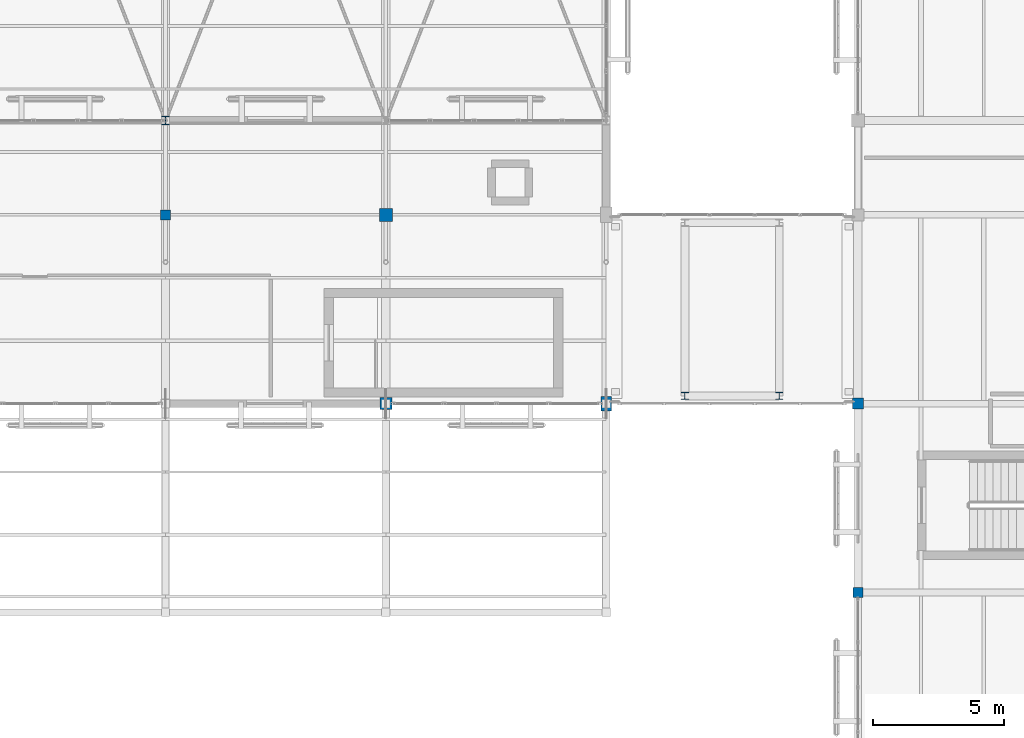
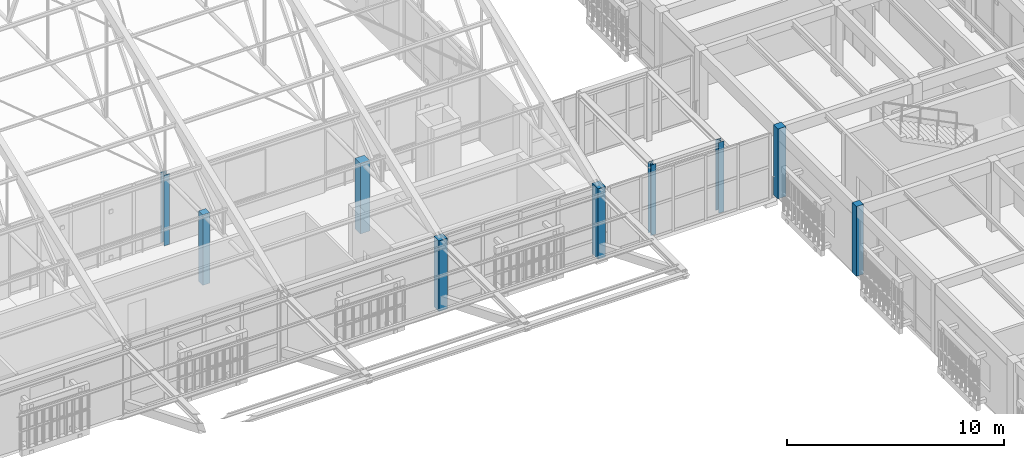
# One storey, part 12 of 217: 9 columns.
"""IFC4 building model written with IfcOpenShell, lengths in metres."""

from ifc_helpers import new_model, si_unit, direction, frame, origin, origin_2d, place, context, subcontext, project, spatial, rectangle, i_section, extrude, material, material_profile, profile_set, type_object, element, save


model = new_model("IFC4")

# Units and contexts
model_context = context("Model", 3, precision=1e-05, world=origin(), true_north=direction((0.0, 1.0)))
body_context = subcontext(model_context, "Body", "Model", "MODEL_VIEW")
ifc_project = project(units=[si_unit("LENGTHUNIT", "METRE"), si_unit("AREAUNIT", "SQUARE_METRE"), si_unit("VOLUMEUNIT", "CUBIC_METRE"), si_unit("PLANEANGLEUNIT", "RADIAN"), si_unit("MASSUNIT", "GRAM", prefix="KILO")], contexts=[model_context])

# Site, building, storey
site_placement = place(None, origin())
site = spatial("IfcSite", under=ifc_project, at=site_placement, CompositionType="ELEMENT")
building_placement = place(site_placement, origin())
building = spatial("IfcBuilding", under=site, at=building_placement, Name="Mazaris Harbour Polytechnic", CompositionType="ELEMENT")
storey_placement = place(building_placement, frame((0.0, 0.0, 9.60009765625)))
storey = spatial("IfcBuildingStorey", under=building, at=storey_placement, Name="L02", CompositionType="ELEMENT", Elevation=9.60009765625)

# Columns
ifc_material_1 = material(Name="Glulam GL28h", Category="wood")
ifc_material_profile_1 = material_profile(ifc_material_1, rectangle(XDim=0.3798828125, YDim=0.3798828125, at=origin_2d()), Name="RECT380x380")
ifc_profile_set_1 = profile_set([ifc_material_profile_1], Name="Glulam GL28h")
column_type_1 = type_object("IfcColumnType", Name="Glulam Column 380x380", PredefinedType="COLUMN", material=ifc_profile_set_1)
column_1_placement = place(storey_placement, frame((96.0, 82.800048828125, 0.0), z_axis=(0.0, 0.0, 1.0), x_axis=(1.0, 0.0, 0.0)))
element("IfcColumn", 1, at=column_1_placement, inside=storey, type_object=column_type_1, Name="V1 L02 Column 169", PredefinedType="COLUMN", context=body_context, shape_type="SweptSolid", body=[
    extrude(rectangle(XDim=0.3798828125, YDim=0.3798828125, at=origin_2d()), origin(), (0.0, 0.0, 1.0), 3.9599609375),
])
ifc_material_2 = material(Name="Glulam GL28h", Category="wood")
ifc_material_profile_2 = material_profile(ifc_material_2, rectangle(XDim=0.3798828125, YDim=0.3798828125, at=origin_2d()), Name="RECT380x380")
ifc_profile_set_2 = profile_set([ifc_material_profile_2], Name="Glulam GL28h")
column_type_2 = type_object("IfcColumnType", Name="Glulam Column 380x380 Exterior", PredefinedType="COLUMN", material=ifc_profile_set_2)
column_2_placement = place(storey_placement, frame((122.39990234375, 68.39990234375, 0.0), z_axis=(0.0, 0.0, 1.0), x_axis=(1.0, 0.0, 0.0)))
element("IfcColumn", 2, at=column_2_placement, inside=storey, type_object=column_type_2, Name="V5 L02 Column 1329", PredefinedType="COLUMN", context=body_context, shape_type="SweptSolid", body=[
    extrude(rectangle(XDim=0.3798828125, YDim=0.3798828125, at=origin_2d()), origin(), (0.0, 0.0, 1.0), 3.919921875),
])
ifc_material_3 = material(Name="Glulam GL28h", Category="wood")
ifc_material_profile_3 = material_profile(ifc_material_3, rectangle(XDim=0.39990234375, YDim=0.5400390625, at=origin_2d()), Name="RECT400x540")
ifc_profile_set_3 = profile_set([ifc_material_profile_3], Name="Glulam GL28h")
column_type_3 = type_object("IfcColumnType", Name="Glulam Column 400x540 Exterior", PredefinedType="COLUMN", material=ifc_profile_set_3)
column_3_placement = place(storey_placement, frame((112.800048828125, 75.60009765625, 0.0), z_axis=(0.0, 0.0, 1.0), x_axis=(1.0, 0.0, 0.0)))
element("IfcColumn", 3, at=column_3_placement, inside=storey, type_object=column_type_3, Name="V1 L02 Column 174", PredefinedType="COLUMN", context=body_context, shape_type="SweptSolid", body=[
    extrude(rectangle(XDim=0.39990234375, YDim=0.5400390625, at=origin_2d()), origin(), (0.0, 0.0, 1.0), 3.9599609375),
])
ifc_material_4 = material(Name="Glulam GL28h", Category="wood")
ifc_material_profile_4 = material_profile(ifc_material_4, rectangle(XDim=0.419921875, YDim=0.419921875, at=origin_2d()), Name="RECT420x420")
ifc_profile_set_4 = profile_set([ifc_material_profile_4], Name="Glulam GL28h")
column_type_4 = type_object("IfcColumnType", Name="Glulam Column 420x420 Exterior", PredefinedType="COLUMN", material=ifc_profile_set_4)
column_4_placement = place(storey_placement, frame((122.39990234375, 75.60009765625, 0.0), z_axis=(0.0, 0.0, 1.0), x_axis=(1.0, 0.0, 0.0)))
element("IfcColumn", 4, at=column_4_placement, inside=storey, type_object=column_type_4, Name="V5 L02 Column 1330", PredefinedType="COLUMN", context=body_context, shape_type="SweptSolid", body=[
    extrude(rectangle(XDim=0.419921875, YDim=0.419921875, at=origin_2d()), origin(), (0.0, 0.0, 1.0), 3.919921875),
])
ifc_material_5 = material(Name="Glulam GL28h", Category="wood")
ifc_material_profile_5 = material_profile(ifc_material_5, rectangle(XDim=0.4599609375, YDim=0.4599609375, at=origin_2d()), Name="RECT460x460")
ifc_profile_set_5 = profile_set([ifc_material_profile_5], Name="Glulam GL28h")
column_type_5 = type_object("IfcColumnType", Name="Glulam Column 460x460 Exterior", PredefinedType="COLUMN", material=ifc_profile_set_5)
column_5_placement = place(storey_placement, frame((104.39990234375, 75.60009765625, 0.0), z_axis=(0.0, 0.0, 1.0), x_axis=(1.0, 0.0, 0.0)))
element("IfcColumn", 5, at=column_5_placement, inside=storey, type_object=column_type_5, Name="V1 L02 Column 171", PredefinedType="COLUMN", context=body_context, shape_type="SweptSolid", body=[
    extrude(rectangle(XDim=0.4599609375, YDim=0.4599609375, at=origin_2d()), origin(), (0.0, 0.0, 1.0), 3.9599609375),
])
ifc_material_6 = material(Name="Glulam GL28h", Category="wood")
ifc_material_profile_6 = material_profile(ifc_material_6, rectangle(XDim=0.5, YDim=0.5, at=origin_2d()), Name="RECT500x500")
ifc_profile_set_6 = profile_set([ifc_material_profile_6], Name="Glulam GL28h")
column_type_6 = type_object("IfcColumnType", Name="Glulam Column 500x500", PredefinedType="COLUMN", material=ifc_profile_set_6)
column_6_placement = place(storey_placement, frame((104.39990234375, 82.800048828125, 0.0), z_axis=(0.0, 0.0, 1.0), x_axis=(1.0, 0.0, 0.0)))
element("IfcColumn", 6, at=column_6_placement, inside=storey, type_object=column_type_6, Name="V1 L02 Column 172", PredefinedType="COLUMN", context=body_context, shape_type="SweptSolid", body=[
    extrude(rectangle(XDim=0.5, YDim=0.5, at=origin_2d()), origin(), (0.0, 0.0, 1.0), 3.9599609375),
])
ifc_material_7 = material(Name="Steel S355", Category="steel")
ifc_material_profile_7 = material_profile(ifc_material_7, i_section(OverallWidth=0.280029296875, OverallDepth=0.280029296875, WebThickness=0.010498046875, FlangeThickness=0.01806640625, FilletRadius=0.02392578125, at=origin_2d()), Name="HEB 280")
ifc_profile_set_7 = profile_set([ifc_material_profile_7], Name="Steel S355")
column_type_7 = type_object("IfcColumnType", Name="Steel Column HEB280 Exterior", PredefinedType="COLUMN", material=ifc_profile_set_7)
for number, where, z_axis, x_axis, name in (
    (7, (115.800048828125, 75.89990234375, 0.0), (0.0, 0.0, 1.0), (1.0, 0.0, 0.0), "PB-E2 L02 Bridge Column 1576"),
    (8, (119.39990234375, 75.89990234375, 0.0), (0.0, 0.0, 1.0), (1.0, 0.0, 0.0), "PB-E2 L02 Bridge Column 1577"),
):
    element("IfcColumn", number, at=place(storey_placement, frame(where, z_axis=z_axis, x_axis=x_axis)), inside=storey, type_object=column_type_7, Name=name, PredefinedType="COLUMN", context=body_context, shape_type="SweptSolid", body=[
        extrude(i_section(OverallWidth=0.280029296875, OverallDepth=0.280029296875, WebThickness=0.010498046875, FlangeThickness=0.01806640625, FilletRadius=0.02392578125, at=origin_2d()), origin(), (0.0, 0.0, 1.0), 3.9599609375),
    ])
ifc_material_8 = material(Name="Steel S355", Category="steel")
ifc_material_profile_8 = material_profile(ifc_material_8, i_section(OverallWidth=0.300048828125, OverallDepth=0.320068359375, WebThickness=0.011474609375, FlangeThickness=0.0205078125, FilletRadius=0.027099609375, at=origin_2d()), Name="HEB 320")
ifc_profile_set_8 = profile_set([ifc_material_profile_8], Name="Steel S355")
column_type_8 = type_object("IfcColumnType", Name="Steel Column HEB320", PredefinedType="COLUMN", material=ifc_profile_set_8)
column_7_placement = place(storey_placement, frame((96.0, 86.39990234375, 0.0), z_axis=(0.0, 0.0, 1.0), x_axis=(1.0, 0.0, 0.0)))
element("IfcColumn", 9, at=column_7_placement, inside=storey, type_object=column_type_8, Name="V1 L02 Column 170", PredefinedType="COLUMN", context=body_context, shape_type="SweptSolid", body=[
    extrude(i_section(OverallWidth=0.300048828125, OverallDepth=0.320068359375, WebThickness=0.011474609375, FlangeThickness=0.0205078125, FilletRadius=0.027099609375, at=origin_2d()), origin(), (0.0, 0.0, 1.0), 3.9599609375),
])

save(model, "model.ifc")
